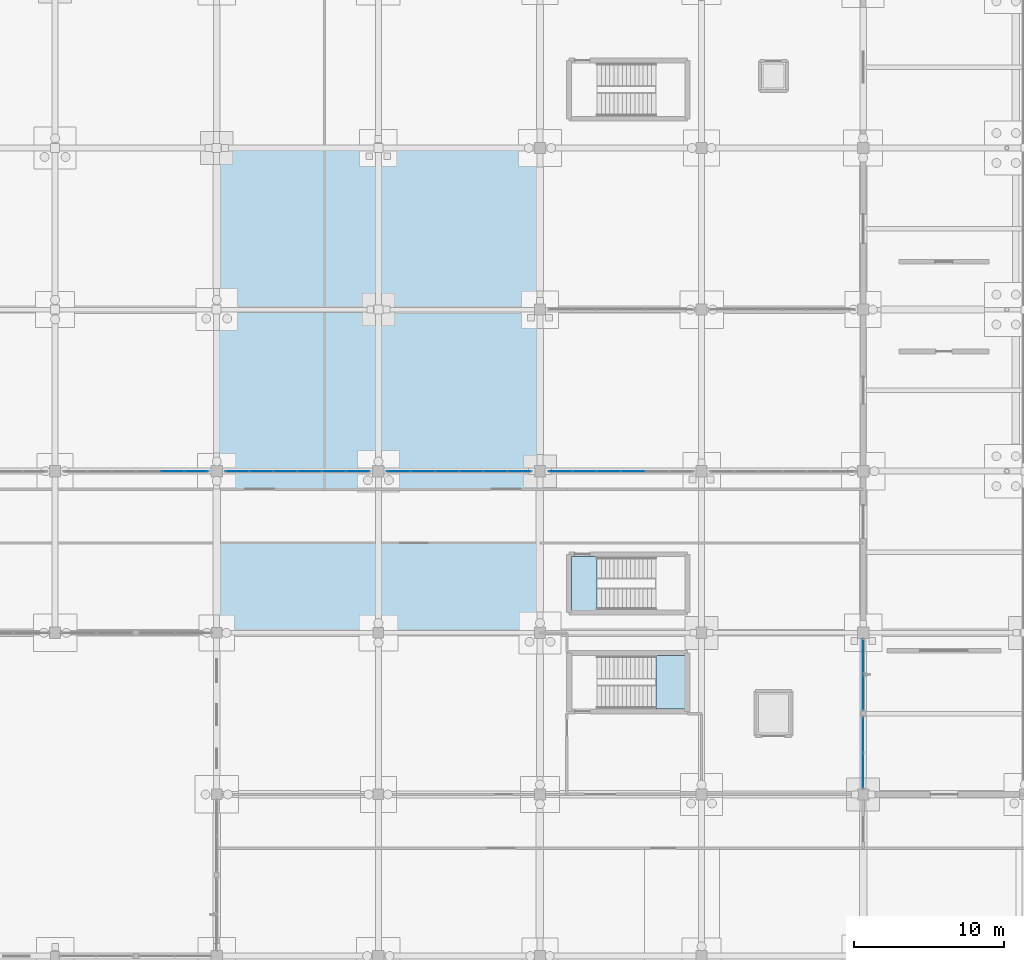
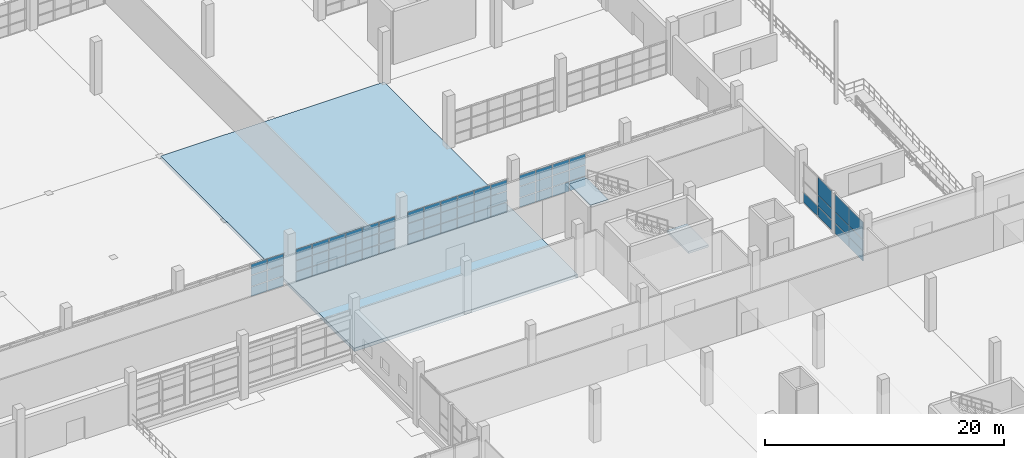
# One storey, part 93 of 138: 64 plates, 3 slabs, 8 elements without a shape of their own.
"""IFC4 building model written with IfcOpenShell, lengths in metres."""

from ifc_helpers import new_model, si_unit, direction, frame, origin, origin_2d, place, context, subcontext, project, spatial, polyline, rectangle, outline, extrude, material, layer, layer_set, type_object, element, aggregate, save


model = new_model("IFC4")

# Units and contexts
model_context = context("Model", 3, precision=1e-05, world=origin(), true_north=direction((0.0, 1.0)))
body_context = subcontext(model_context, "Body", "Model", "MODEL_VIEW")
ifc_project = project(units=[si_unit("LENGTHUNIT", "METRE"), si_unit("AREAUNIT", "SQUARE_METRE"), si_unit("VOLUMEUNIT", "CUBIC_METRE"), si_unit("PLANEANGLEUNIT", "RADIAN"), si_unit("MASSUNIT", "GRAM", prefix="KILO")], contexts=[model_context])

# Site, building, storey
site_placement = place(None, origin())
site = spatial("IfcSite", under=ifc_project, at=site_placement, CompositionType="ELEMENT")
building_placement = place(site_placement, origin())
building = spatial("IfcBuilding", under=site, at=building_placement, Name="Zwinboog Wholesale Market", CompositionType="ELEMENT")
storey_placement = place(building_placement, origin())
storey = spatial("IfcBuildingStorey", under=building, at=storey_placement, Name="L00", CompositionType="ELEMENT", Elevation=0.0)

# Slab
ifc_material_1 = material(Name="Precast concrete C45/55", Category="concrete")
ifc_layer_1 = layer(ifc_material_1, 0.3349609375)
ifc_layer_set_1 = layer_set([ifc_layer_1], Name="Precast concrete C45/55")
slab_type_1 = type_object("IfcSlabType", Name="SLT-BS-335", PredefinedType="BASESLAB", material=ifc_layer_set_1)
slab_1_placement = place(storey_placement, frame((0.0, 0.0, -0.3349609375)))
element("IfcSlab", 1, at=slab_1_placement, inside=storey, type_object=slab_type_1, Name="SB-335 (SLB-L00-012)", PredefinedType="BASESLAB", context=body_context, shape_type="SweptSolid", body=[
    extrude(outline(polyline([(129.60009765625, 43.199951171875), (151.199951171875, 43.199951171875), (151.199951171875, 75.60009765625), (129.60009765625, 75.60009765625), (129.60009765625, 43.199951171875)])), origin(), (0.0, 0.0, 1.0), 0.3349609375),
])

# Curtain wall, plates
ifc_material_2 = material(Name="Aluminium thermally broken curtain wall", Category="aluminium")
curtain_wall_type_1 = type_object("IfcCurtainWallType", Name="CWT-CAFE-22", PredefinedType="USERDEFINED", material=ifc_material_2)
curtain_wall_1_placement = place(storey_placement, origin())
curtain_wall_1 = element("IfcCurtainWall", 2, at=curtain_wall_1_placement, inside=storey, type_object=curtain_wall_type_1, Name="CW-05 (CW-L00-047)", ObjectType="STOREFRONT_GLAZING", PredefinedType="USERDEFINED")
ifc_material_3 = material(Name="Double low-e insulated glazing", Category="glass")
ifc_layer_2 = layer(ifc_material_3, 0.031982421875)
ifc_layer_set_2 = layer_set([ifc_layer_2], Name="Double low-e insulated glazing")
plate_type_1 = type_object("IfcPlateType", Name="CWP-IGU-32", PredefinedType="CURTAIN_PANEL", material=ifc_layer_set_2)
plate_1_placement = place(storey_placement, frame((172.800048828125, 33.99365234375, 0.06494140625), z_axis=(0.0, 0.0, 1.0), x_axis=(0.0, 1.0, 0.0)))
plate_1 = element("IfcPlate", 3, at=plate_1_placement, type_object=plate_type_1, Name="CW-05 panel 1.1", PredefinedType="CURTAIN_PANEL", context=body_context, shape_type="SweptSolid", body=[
    extrude(rectangle(XDim=2.3173828125, YDim=0.031982421875, at=origin_2d()), origin(), (0.0, 0.0, 1.0), 1.00244140625),
])
plate_2_placement = place(storey_placement, frame((172.800048828125, 33.99365234375, 1.132568359375), z_axis=(0.0, 0.0, 1.0), x_axis=(0.0, 1.0, 0.0)))
plate_2 = element("IfcPlate", 4, at=plate_2_placement, type_object=plate_type_1, Name="CW-05 panel 1.2", PredefinedType="CURTAIN_PANEL", context=body_context, shape_type="SweptSolid", body=[
    extrude(rectangle(XDim=2.3173828125, YDim=0.031982421875, at=origin_2d()), origin(), (0.0, 0.0, 1.0), 1.0849609375),
])
plate_3_placement = place(storey_placement, frame((172.800048828125, 33.99365234375, 2.2822265625), z_axis=(0.0, 0.0, 1.0), x_axis=(0.0, 1.0, 0.0)))
plate_3 = element("IfcPlate", 5, at=plate_3_placement, type_object=plate_type_1, Name="CW-05 panel 1.3", PredefinedType="CURTAIN_PANEL", context=body_context, shape_type="SweptSolid", body=[
    extrude(rectangle(XDim=2.3173828125, YDim=0.031982421875, at=origin_2d()), origin(), (0.0, 0.0, 1.0), 1.777587890625),
])
plate_4_placement = place(storey_placement, frame((172.800048828125, 36.376220703125, 0.06494140625), z_axis=(0.0, 0.0, 1.0), x_axis=(0.0, 1.0, 0.0)))
plate_4 = element("IfcPlate", 6, at=plate_4_placement, type_object=plate_type_1, Name="CW-05 panel 2.1", PredefinedType="CURTAIN_PANEL", context=body_context, shape_type="SweptSolid", body=[
    extrude(rectangle(XDim=2.3173828125, YDim=0.031982421875, at=origin_2d()), origin(), (0.0, 0.0, 1.0), 1.00244140625),
])
plate_5_placement = place(storey_placement, frame((172.800048828125, 36.376220703125, 1.132568359375), z_axis=(0.0, 0.0, 1.0), x_axis=(0.0, 1.0, 0.0)))
plate_5 = element("IfcPlate", 7, at=plate_5_placement, type_object=plate_type_1, Name="CW-05 panel 2.2", PredefinedType="CURTAIN_PANEL", context=body_context, shape_type="SweptSolid", body=[
    extrude(rectangle(XDim=2.3173828125, YDim=0.031982421875, at=origin_2d()), origin(), (0.0, 0.0, 1.0), 1.0849609375),
])
plate_6_placement = place(storey_placement, frame((172.800048828125, 36.376220703125, 2.2822265625), z_axis=(0.0, 0.0, 1.0), x_axis=(0.0, 1.0, 0.0)))
plate_6 = element("IfcPlate", 8, at=plate_6_placement, type_object=plate_type_1, Name="CW-05 panel 2.3", PredefinedType="CURTAIN_PANEL", context=body_context, shape_type="SweptSolid", body=[
    extrude(rectangle(XDim=2.3173828125, YDim=0.031982421875, at=origin_2d()), origin(), (0.0, 0.0, 1.0), 1.777587890625),
])
aggregate(curtain_wall_1, [plate_1, plate_2, plate_3, plate_4, plate_5, plate_6])

curtain_wall_type_2 = type_object("IfcCurtainWallType", Name="CWT-OFF-15", PredefinedType="USERDEFINED", material=ifc_material_2)
curtain_wall_2_placement = place(storey_placement, origin())
curtain_wall_2 = element("IfcCurtainWall", 9, at=curtain_wall_2_placement, inside=storey, type_object=curtain_wall_type_2, Name="CW-06 (CW-L00-048)", ObjectType="UNITIZED_CURTAIN_WALL", PredefinedType="USERDEFINED")
plate_7_placement = place(storey_placement, frame((172.800048828125, 39.222412109375, 0.06005859375), z_axis=(0.0, 0.0, 1.0), x_axis=(0.0, 1.0, 0.0)))
plate_7 = element("IfcPlate", 10, at=plate_7_placement, type_object=plate_type_1, Name="CW-06 panel 1.1", PredefinedType="CURTAIN_PANEL", context=body_context, shape_type="SweptSolid", body=[
    extrude(rectangle(XDim=2.324951171875, YDim=0.031982421875, at=origin_2d()), origin(), (0.0, 0.0, 1.0), 1.010009765625),
])
plate_8_placement = place(storey_placement, frame((172.800048828125, 39.222412109375, 1.1298828125), z_axis=(0.0, 0.0, 1.0), x_axis=(0.0, 1.0, 0.0)))
plate_8 = element("IfcPlate", 11, at=plate_8_placement, type_object=plate_type_1, Name="CW-06 panel 1.2", PredefinedType="CURTAIN_PANEL", context=body_context, shape_type="SweptSolid", body=[
    extrude(rectangle(XDim=2.324951171875, YDim=0.031982421875, at=origin_2d()), origin(), (0.0, 0.0, 1.0), 1.090087890625),
])
plate_9_placement = place(storey_placement, frame((172.800048828125, 39.222412109375, 2.2802734375), z_axis=(0.0, 0.0, 1.0), x_axis=(0.0, 1.0, 0.0)))
plate_9 = element("IfcPlate", 12, at=plate_9_placement, type_object=plate_type_1, Name="CW-06 panel 1.3", PredefinedType="CURTAIN_PANEL", context=body_context, shape_type="SweptSolid", body=[
    extrude(rectangle(XDim=2.324951171875, YDim=0.031982421875, at=origin_2d()), origin(), (0.0, 0.0, 1.0), 1.784912109375),
])
plate_10_placement = place(storey_placement, frame((172.800048828125, 41.607421875, 0.06005859375), z_axis=(0.0, 0.0, 1.0), x_axis=(0.0, 1.0, 0.0)))
plate_10 = element("IfcPlate", 13, at=plate_10_placement, type_object=plate_type_1, Name="CW-06 panel 2.1", PredefinedType="CURTAIN_PANEL", context=body_context, shape_type="SweptSolid", body=[
    extrude(rectangle(XDim=2.324951171875, YDim=0.031982421875, at=origin_2d()), origin(), (0.0, 0.0, 1.0), 1.010009765625),
])
aggregate(curtain_wall_2, [plate_7, plate_8, plate_9, plate_10])

curtain_wall_type_3 = type_object("IfcCurtainWallType", Name="CWT-INT-STALL", PredefinedType="USERDEFINED", material=ifc_material_2)
curtain_wall_3_placement = place(storey_placement, origin())
curtain_wall_3 = element("IfcCurtainWall", 14, at=curtain_wall_3_placement, inside=storey, type_object=curtain_wall_type_3, Name="CW-07 (CW-STL-186)", ObjectType="STOREFRONT_GLAZING", PredefinedType="USERDEFINED")
ifc_material_4 = material(Name="Tempered laminated market stall glazing", Category="glass")
ifc_layer_3 = layer(ifc_material_4, 0.01611328125)
ifc_layer_set_3 = layer_set([ifc_layer_3], Name="Tempered laminated market stall glazing")
plate_type_2 = type_object("IfcPlateType", Name="CWP-INT-16", PredefinedType="CURTAIN_PANEL", material=ifc_layer_set_3)
plate_11_placement = place(storey_placement, frame((126.625, 54.0, 0.06005859375), z_axis=(0.0, 0.0, 1.0), x_axis=(1.0, 0.0, 0.0)))
plate_11 = element("IfcPlate", 15, at=plate_11_placement, type_object=plate_type_2, Name="CW-07 panel 5.1", PredefinedType="CURTAIN_PANEL", context=body_context, shape_type="SweptSolid", body=[
    extrude(rectangle(XDim=1.556640625, YDim=0.01611328125, at=origin_2d()), origin(), (0.0, 0.0, 1.0), 0.9599609375),
])
plate_12_placement = place(storey_placement, frame((126.625, 54.0, 1.080078125), z_axis=(0.0, 0.0, 1.0), x_axis=(1.0, 0.0, 0.0)))
plate_12 = element("IfcPlate", 16, at=plate_12_placement, type_object=plate_type_2, Name="CW-07 panel 5.2", PredefinedType="CURTAIN_PANEL", context=body_context, shape_type="SweptSolid", body=[
    extrude(rectangle(XDim=1.556640625, YDim=0.01611328125, at=origin_2d()), origin(), (0.0, 0.0, 1.0), 1.090087890625),
])
plate_13_placement = place(storey_placement, frame((126.625, 54.0, 2.22998046875), z_axis=(0.0, 0.0, 1.0), x_axis=(1.0, 0.0, 0.0)))
plate_13 = element("IfcPlate", 17, at=plate_13_placement, type_object=plate_type_2, Name="CW-07 panel 5.3", PredefinedType="CURTAIN_PANEL", context=body_context, shape_type="SweptSolid", body=[
    extrude(rectangle(XDim=1.556640625, YDim=0.01611328125, at=origin_2d()), origin(), (0.0, 0.0, 1.0), 1.110107421875),
])
plate_14_placement = place(storey_placement, frame((128.2265625, 54.0, 0.06005859375), z_axis=(0.0, 0.0, 1.0), x_axis=(1.0, 0.0, 0.0)))
plate_14 = element("IfcPlate", 18, at=plate_14_placement, type_object=plate_type_2, Name="CW-07 panel 6.1", PredefinedType="CURTAIN_PANEL", context=body_context, shape_type="SweptSolid", body=[
    extrude(rectangle(XDim=1.526611328125, YDim=0.01611328125, at=origin_2d()), origin(), (0.0, 0.0, 1.0), 0.9599609375),
])
plate_15_placement = place(storey_placement, frame((128.2265625, 54.0, 1.080078125), z_axis=(0.0, 0.0, 1.0), x_axis=(1.0, 0.0, 0.0)))
plate_15 = element("IfcPlate", 19, at=plate_15_placement, type_object=plate_type_2, Name="CW-07 panel 6.2", PredefinedType="CURTAIN_PANEL", context=body_context, shape_type="SweptSolid", body=[
    extrude(rectangle(XDim=1.526611328125, YDim=0.01611328125, at=origin_2d()), origin(), (0.0, 0.0, 1.0), 1.090087890625),
])
plate_16_placement = place(storey_placement, frame((128.2265625, 54.0, 2.22998046875), z_axis=(0.0, 0.0, 1.0), x_axis=(1.0, 0.0, 0.0)))
plate_16 = element("IfcPlate", 20, at=plate_16_placement, type_object=plate_type_2, Name="CW-07 panel 6.3", PredefinedType="CURTAIN_PANEL", context=body_context, shape_type="SweptSolid", body=[
    extrude(rectangle(XDim=1.526611328125, YDim=0.01611328125, at=origin_2d()), origin(), (0.0, 0.0, 1.0), 1.110107421875),
])
aggregate(curtain_wall_3, [plate_11, plate_12, plate_13, plate_14, plate_15, plate_16])

curtain_wall_4_placement = place(storey_placement, origin())
curtain_wall_4 = element("IfcCurtainWall", 21, at=curtain_wall_4_placement, inside=storey, type_object=curtain_wall_type_3, Name="CW-07 (CW-STL-187)", ObjectType="STOREFRONT_GLAZING", PredefinedType="USERDEFINED")
plate_17_placement = place(storey_placement, frame((130.973388671875, 54.0, 0.06005859375), z_axis=(0.0, 0.0, 1.0), x_axis=(1.0, 0.0, 0.0)))
plate_17 = element("IfcPlate", 22, at=plate_17_placement, type_object=plate_type_2, Name="CW-07 panel 1.1", PredefinedType="CURTAIN_PANEL", context=body_context, shape_type="SweptSolid", body=[
    extrude(rectangle(XDim=1.526611328125, YDim=0.01611328125, at=origin_2d()), origin(), (0.0, 0.0, 1.0), 0.9599609375),
])
plate_18_placement = place(storey_placement, frame((130.973388671875, 54.0, 1.080078125), z_axis=(0.0, 0.0, 1.0), x_axis=(1.0, 0.0, 0.0)))
plate_18 = element("IfcPlate", 23, at=plate_18_placement, type_object=plate_type_2, Name="CW-07 panel 1.2", PredefinedType="CURTAIN_PANEL", context=body_context, shape_type="SweptSolid", body=[
    extrude(rectangle(XDim=1.526611328125, YDim=0.01611328125, at=origin_2d()), origin(), (0.0, 0.0, 1.0), 1.090087890625),
])
plate_19_placement = place(storey_placement, frame((130.973388671875, 54.0, 2.22998046875), z_axis=(0.0, 0.0, 1.0), x_axis=(1.0, 0.0, 0.0)))
plate_19 = element("IfcPlate", 24, at=plate_19_placement, type_object=plate_type_2, Name="CW-07 panel 1.3", PredefinedType="CURTAIN_PANEL", context=body_context, shape_type="SweptSolid", body=[
    extrude(rectangle(XDim=1.526611328125, YDim=0.01611328125, at=origin_2d()), origin(), (0.0, 0.0, 1.0), 1.110107421875),
])
plate_20_placement = place(storey_placement, frame((132.574951171875, 54.0, 0.06005859375), z_axis=(0.0, 0.0, 1.0), x_axis=(1.0, 0.0, 0.0)))
plate_20 = element("IfcPlate", 25, at=plate_20_placement, type_object=plate_type_2, Name="CW-07 panel 2.1", PredefinedType="CURTAIN_PANEL", context=body_context, shape_type="SweptSolid", body=[
    extrude(rectangle(XDim=1.556640625, YDim=0.01611328125, at=origin_2d()), origin(), (0.0, 0.0, 1.0), 0.9599609375),
])
plate_21_placement = place(storey_placement, frame((132.574951171875, 54.0, 1.080078125), z_axis=(0.0, 0.0, 1.0), x_axis=(1.0, 0.0, 0.0)))
plate_21 = element("IfcPlate", 26, at=plate_21_placement, type_object=plate_type_2, Name="CW-07 panel 2.2", PredefinedType="CURTAIN_PANEL", context=body_context, shape_type="SweptSolid", body=[
    extrude(rectangle(XDim=1.556640625, YDim=0.01611328125, at=origin_2d()), origin(), (0.0, 0.0, 1.0), 1.090087890625),
])
plate_22_placement = place(storey_placement, frame((132.574951171875, 54.0, 2.22998046875), z_axis=(0.0, 0.0, 1.0), x_axis=(1.0, 0.0, 0.0)))
plate_22 = element("IfcPlate", 27, at=plate_22_placement, type_object=plate_type_2, Name="CW-07 panel 2.3", PredefinedType="CURTAIN_PANEL", context=body_context, shape_type="SweptSolid", body=[
    extrude(rectangle(XDim=1.556640625, YDim=0.01611328125, at=origin_2d()), origin(), (0.0, 0.0, 1.0), 1.110107421875),
])
plate_23_placement = place(storey_placement, frame((134.191650390625, 54.0, 0.06005859375), z_axis=(0.0, 0.0, 1.0), x_axis=(1.0, 0.0, 0.0)))
plate_23 = element("IfcPlate", 28, at=plate_23_placement, type_object=plate_type_2, Name="CW-07 panel 3.1", PredefinedType="CURTAIN_PANEL", context=body_context, shape_type="SweptSolid", body=[
    extrude(rectangle(XDim=1.556640625, YDim=0.01611328125, at=origin_2d()), origin(), (0.0, 0.0, 1.0), 0.9599609375),
])
plate_24_placement = place(storey_placement, frame((134.191650390625, 54.0, 1.080078125), z_axis=(0.0, 0.0, 1.0), x_axis=(1.0, 0.0, 0.0)))
plate_24 = element("IfcPlate", 29, at=plate_24_placement, type_object=plate_type_2, Name="CW-07 panel 3.2", PredefinedType="CURTAIN_PANEL", context=body_context, shape_type="SweptSolid", body=[
    extrude(rectangle(XDim=1.556640625, YDim=0.01611328125, at=origin_2d()), origin(), (0.0, 0.0, 1.0), 1.090087890625),
])
plate_25_placement = place(storey_placement, frame((134.191650390625, 54.0, 2.22998046875), z_axis=(0.0, 0.0, 1.0), x_axis=(1.0, 0.0, 0.0)))
plate_25 = element("IfcPlate", 30, at=plate_25_placement, type_object=plate_type_2, Name="CW-07 panel 3.3", PredefinedType="CURTAIN_PANEL", context=body_context, shape_type="SweptSolid", body=[
    extrude(rectangle(XDim=1.556640625, YDim=0.01611328125, at=origin_2d()), origin(), (0.0, 0.0, 1.0), 1.110107421875),
])
plate_26_placement = place(storey_placement, frame((135.808349609375, 54.0, 0.06005859375), z_axis=(0.0, 0.0, 1.0), x_axis=(1.0, 0.0, 0.0)))
plate_26 = element("IfcPlate", 31, at=plate_26_placement, type_object=plate_type_2, Name="CW-07 panel 4.1", PredefinedType="CURTAIN_PANEL", context=body_context, shape_type="SweptSolid", body=[
    extrude(rectangle(XDim=1.556640625, YDim=0.01611328125, at=origin_2d()), origin(), (0.0, 0.0, 1.0), 0.9599609375),
])
plate_27_placement = place(storey_placement, frame((135.808349609375, 54.0, 1.080078125), z_axis=(0.0, 0.0, 1.0), x_axis=(1.0, 0.0, 0.0)))
plate_27 = element("IfcPlate", 32, at=plate_27_placement, type_object=plate_type_2, Name="CW-07 panel 4.2", PredefinedType="CURTAIN_PANEL", context=body_context, shape_type="SweptSolid", body=[
    extrude(rectangle(XDim=1.556640625, YDim=0.01611328125, at=origin_2d()), origin(), (0.0, 0.0, 1.0), 1.090087890625),
])
plate_28_placement = place(storey_placement, frame((135.808349609375, 54.0, 2.22998046875), z_axis=(0.0, 0.0, 1.0), x_axis=(1.0, 0.0, 0.0)))
plate_28 = element("IfcPlate", 33, at=plate_28_placement, type_object=plate_type_2, Name="CW-07 panel 4.3", PredefinedType="CURTAIN_PANEL", context=body_context, shape_type="SweptSolid", body=[
    extrude(rectangle(XDim=1.556640625, YDim=0.01611328125, at=origin_2d()), origin(), (0.0, 0.0, 1.0), 1.110107421875),
])
plate_29_placement = place(storey_placement, frame((137.425048828125, 54.0, 0.06005859375), z_axis=(0.0, 0.0, 1.0), x_axis=(1.0, 0.0, 0.0)))
plate_29 = element("IfcPlate", 34, at=plate_29_placement, type_object=plate_type_2, Name="CW-07 panel 5.1", PredefinedType="CURTAIN_PANEL", context=body_context, shape_type="SweptSolid", body=[
    extrude(rectangle(XDim=1.556640625, YDim=0.01611328125, at=origin_2d()), origin(), (0.0, 0.0, 1.0), 0.9599609375),
])
plate_30_placement = place(storey_placement, frame((137.425048828125, 54.0, 1.080078125), z_axis=(0.0, 0.0, 1.0), x_axis=(1.0, 0.0, 0.0)))
plate_30 = element("IfcPlate", 35, at=plate_30_placement, type_object=plate_type_2, Name="CW-07 panel 5.2", PredefinedType="CURTAIN_PANEL", context=body_context, shape_type="SweptSolid", body=[
    extrude(rectangle(XDim=1.556640625, YDim=0.01611328125, at=origin_2d()), origin(), (0.0, 0.0, 1.0), 1.090087890625),
])
plate_31_placement = place(storey_placement, frame((137.425048828125, 54.0, 2.22998046875), z_axis=(0.0, 0.0, 1.0), x_axis=(1.0, 0.0, 0.0)))
plate_31 = element("IfcPlate", 36, at=plate_31_placement, type_object=plate_type_2, Name="CW-07 panel 5.3", PredefinedType="CURTAIN_PANEL", context=body_context, shape_type="SweptSolid", body=[
    extrude(rectangle(XDim=1.556640625, YDim=0.01611328125, at=origin_2d()), origin(), (0.0, 0.0, 1.0), 1.110107421875),
])
plate_32_placement = place(storey_placement, frame((139.026611328125, 54.0, 0.06005859375), z_axis=(0.0, 0.0, 1.0), x_axis=(1.0, 0.0, 0.0)))
plate_32 = element("IfcPlate", 37, at=plate_32_placement, type_object=plate_type_2, Name="CW-07 panel 6.1", PredefinedType="CURTAIN_PANEL", context=body_context, shape_type="SweptSolid", body=[
    extrude(rectangle(XDim=1.526611328125, YDim=0.01611328125, at=origin_2d()), origin(), (0.0, 0.0, 1.0), 0.9599609375),
])
plate_33_placement = place(storey_placement, frame((139.026611328125, 54.0, 1.080078125), z_axis=(0.0, 0.0, 1.0), x_axis=(1.0, 0.0, 0.0)))
plate_33 = element("IfcPlate", 38, at=plate_33_placement, type_object=plate_type_2, Name="CW-07 panel 6.2", PredefinedType="CURTAIN_PANEL", context=body_context, shape_type="SweptSolid", body=[
    extrude(rectangle(XDim=1.526611328125, YDim=0.01611328125, at=origin_2d()), origin(), (0.0, 0.0, 1.0), 1.090087890625),
])
plate_34_placement = place(storey_placement, frame((139.026611328125, 54.0, 2.22998046875), z_axis=(0.0, 0.0, 1.0), x_axis=(1.0, 0.0, 0.0)))
plate_34 = element("IfcPlate", 39, at=plate_34_placement, type_object=plate_type_2, Name="CW-07 panel 6.3", PredefinedType="CURTAIN_PANEL", context=body_context, shape_type="SweptSolid", body=[
    extrude(rectangle(XDim=1.526611328125, YDim=0.01611328125, at=origin_2d()), origin(), (0.0, 0.0, 1.0), 1.110107421875),
])
aggregate(curtain_wall_4, [plate_17, plate_18, plate_19, plate_20, plate_21, plate_22, plate_23, plate_24, plate_25, plate_26, plate_27, plate_28, plate_29, plate_30, plate_31, plate_32, plate_33, plate_34])

curtain_wall_5_placement = place(storey_placement, origin())
curtain_wall_5 = element("IfcCurtainWall", 40, at=curtain_wall_5_placement, inside=storey, type_object=curtain_wall_type_3, Name="CW-07 (CW-STL-188)", ObjectType="STOREFRONT_GLAZING", PredefinedType="USERDEFINED")
plate_35_placement = place(storey_placement, frame((141.7734375, 54.0, 0.06005859375), z_axis=(0.0, 0.0, 1.0), x_axis=(1.0, 0.0, 0.0)))
plate_35 = element("IfcPlate", 41, at=plate_35_placement, type_object=plate_type_2, Name="CW-07 panel 1.1", PredefinedType="CURTAIN_PANEL", context=body_context, shape_type="SweptSolid", body=[
    extrude(rectangle(XDim=1.526611328125, YDim=0.01611328125, at=origin_2d()), origin(), (0.0, 0.0, 1.0), 0.9599609375),
])
plate_36_placement = place(storey_placement, frame((141.7734375, 54.0, 1.080078125), z_axis=(0.0, 0.0, 1.0), x_axis=(1.0, 0.0, 0.0)))
plate_36 = element("IfcPlate", 42, at=plate_36_placement, type_object=plate_type_2, Name="CW-07 panel 1.2", PredefinedType="CURTAIN_PANEL", context=body_context, shape_type="SweptSolid", body=[
    extrude(rectangle(XDim=1.526611328125, YDim=0.01611328125, at=origin_2d()), origin(), (0.0, 0.0, 1.0), 1.090087890625),
])
plate_37_placement = place(storey_placement, frame((141.7734375, 54.0, 2.22998046875), z_axis=(0.0, 0.0, 1.0), x_axis=(1.0, 0.0, 0.0)))
plate_37 = element("IfcPlate", 43, at=plate_37_placement, type_object=plate_type_2, Name="CW-07 panel 1.3", PredefinedType="CURTAIN_PANEL", context=body_context, shape_type="SweptSolid", body=[
    extrude(rectangle(XDim=1.526611328125, YDim=0.01611328125, at=origin_2d()), origin(), (0.0, 0.0, 1.0), 1.110107421875),
])
plate_38_placement = place(storey_placement, frame((143.375, 54.0, 0.06005859375), z_axis=(0.0, 0.0, 1.0), x_axis=(1.0, 0.0, 0.0)))
plate_38 = element("IfcPlate", 44, at=plate_38_placement, type_object=plate_type_2, Name="CW-07 panel 2.1", PredefinedType="CURTAIN_PANEL", context=body_context, shape_type="SweptSolid", body=[
    extrude(rectangle(XDim=1.556640625, YDim=0.01611328125, at=origin_2d()), origin(), (0.0, 0.0, 1.0), 0.9599609375),
])
plate_39_placement = place(storey_placement, frame((143.375, 54.0, 1.080078125), z_axis=(0.0, 0.0, 1.0), x_axis=(1.0, 0.0, 0.0)))
plate_39 = element("IfcPlate", 45, at=plate_39_placement, type_object=plate_type_2, Name="CW-07 panel 2.2", PredefinedType="CURTAIN_PANEL", context=body_context, shape_type="SweptSolid", body=[
    extrude(rectangle(XDim=1.556640625, YDim=0.01611328125, at=origin_2d()), origin(), (0.0, 0.0, 1.0), 1.090087890625),
])
plate_40_placement = place(storey_placement, frame((143.375, 54.0, 2.22998046875), z_axis=(0.0, 0.0, 1.0), x_axis=(1.0, 0.0, 0.0)))
plate_40 = element("IfcPlate", 46, at=plate_40_placement, type_object=plate_type_2, Name="CW-07 panel 2.3", PredefinedType="CURTAIN_PANEL", context=body_context, shape_type="SweptSolid", body=[
    extrude(rectangle(XDim=1.556640625, YDim=0.01611328125, at=origin_2d()), origin(), (0.0, 0.0, 1.0), 1.110107421875),
])
plate_41_placement = place(storey_placement, frame((144.99169921875, 54.0, 0.06005859375), z_axis=(0.0, 0.0, 1.0), x_axis=(1.0, 0.0, 0.0)))
plate_41 = element("IfcPlate", 47, at=plate_41_placement, type_object=plate_type_2, Name="CW-07 panel 3.1", PredefinedType="CURTAIN_PANEL", context=body_context, shape_type="SweptSolid", body=[
    extrude(rectangle(XDim=1.556640625, YDim=0.01611328125, at=origin_2d()), origin(), (0.0, 0.0, 1.0), 0.9599609375),
])
plate_42_placement = place(storey_placement, frame((144.99169921875, 54.0, 1.080078125), z_axis=(0.0, 0.0, 1.0), x_axis=(1.0, 0.0, 0.0)))
plate_42 = element("IfcPlate", 48, at=plate_42_placement, type_object=plate_type_2, Name="CW-07 panel 3.2", PredefinedType="CURTAIN_PANEL", context=body_context, shape_type="SweptSolid", body=[
    extrude(rectangle(XDim=1.556640625, YDim=0.01611328125, at=origin_2d()), origin(), (0.0, 0.0, 1.0), 1.090087890625),
])
plate_43_placement = place(storey_placement, frame((144.99169921875, 54.0, 2.22998046875), z_axis=(0.0, 0.0, 1.0), x_axis=(1.0, 0.0, 0.0)))
plate_43 = element("IfcPlate", 49, at=plate_43_placement, type_object=plate_type_2, Name="CW-07 panel 3.3", PredefinedType="CURTAIN_PANEL", context=body_context, shape_type="SweptSolid", body=[
    extrude(rectangle(XDim=1.556640625, YDim=0.01611328125, at=origin_2d()), origin(), (0.0, 0.0, 1.0), 1.110107421875),
])
plate_44_placement = place(storey_placement, frame((146.6083984375, 54.0, 0.06005859375), z_axis=(0.0, 0.0, 1.0), x_axis=(1.0, 0.0, 0.0)))
plate_44 = element("IfcPlate", 50, at=plate_44_placement, type_object=plate_type_2, Name="CW-07 panel 4.1", PredefinedType="CURTAIN_PANEL", context=body_context, shape_type="SweptSolid", body=[
    extrude(rectangle(XDim=1.556640625, YDim=0.01611328125, at=origin_2d()), origin(), (0.0, 0.0, 1.0), 0.9599609375),
])
plate_45_placement = place(storey_placement, frame((146.6083984375, 54.0, 1.080078125), z_axis=(0.0, 0.0, 1.0), x_axis=(1.0, 0.0, 0.0)))
plate_45 = element("IfcPlate", 51, at=plate_45_placement, type_object=plate_type_2, Name="CW-07 panel 4.2", PredefinedType="CURTAIN_PANEL", context=body_context, shape_type="SweptSolid", body=[
    extrude(rectangle(XDim=1.556640625, YDim=0.01611328125, at=origin_2d()), origin(), (0.0, 0.0, 1.0), 1.090087890625),
])
plate_46_placement = place(storey_placement, frame((146.6083984375, 54.0, 2.22998046875), z_axis=(0.0, 0.0, 1.0), x_axis=(1.0, 0.0, 0.0)))
plate_46 = element("IfcPlate", 52, at=plate_46_placement, type_object=plate_type_2, Name="CW-07 panel 4.3", PredefinedType="CURTAIN_PANEL", context=body_context, shape_type="SweptSolid", body=[
    extrude(rectangle(XDim=1.556640625, YDim=0.01611328125, at=origin_2d()), origin(), (0.0, 0.0, 1.0), 1.110107421875),
])
plate_47_placement = place(storey_placement, frame((148.22509765625, 54.0, 0.06005859375), z_axis=(0.0, 0.0, 1.0), x_axis=(1.0, 0.0, 0.0)))
plate_47 = element("IfcPlate", 53, at=plate_47_placement, type_object=plate_type_2, Name="CW-07 panel 5.1", PredefinedType="CURTAIN_PANEL", context=body_context, shape_type="SweptSolid", body=[
    extrude(rectangle(XDim=1.556640625, YDim=0.01611328125, at=origin_2d()), origin(), (0.0, 0.0, 1.0), 0.9599609375),
])
plate_48_placement = place(storey_placement, frame((148.22509765625, 54.0, 1.080078125), z_axis=(0.0, 0.0, 1.0), x_axis=(1.0, 0.0, 0.0)))
plate_48 = element("IfcPlate", 54, at=plate_48_placement, type_object=plate_type_2, Name="CW-07 panel 5.2", PredefinedType="CURTAIN_PANEL", context=body_context, shape_type="SweptSolid", body=[
    extrude(rectangle(XDim=1.556640625, YDim=0.01611328125, at=origin_2d()), origin(), (0.0, 0.0, 1.0), 1.090087890625),
])
plate_49_placement = place(storey_placement, frame((148.22509765625, 54.0, 2.22998046875), z_axis=(0.0, 0.0, 1.0), x_axis=(1.0, 0.0, 0.0)))
plate_49 = element("IfcPlate", 55, at=plate_49_placement, type_object=plate_type_2, Name="CW-07 panel 5.3", PredefinedType="CURTAIN_PANEL", context=body_context, shape_type="SweptSolid", body=[
    extrude(rectangle(XDim=1.556640625, YDim=0.01611328125, at=origin_2d()), origin(), (0.0, 0.0, 1.0), 1.110107421875),
])
plate_50_placement = place(storey_placement, frame((149.82666015625, 54.0, 0.06005859375), z_axis=(0.0, 0.0, 1.0), x_axis=(1.0, 0.0, 0.0)))
plate_50 = element("IfcPlate", 56, at=plate_50_placement, type_object=plate_type_2, Name="CW-07 panel 6.1", PredefinedType="CURTAIN_PANEL", context=body_context, shape_type="SweptSolid", body=[
    extrude(rectangle(XDim=1.526611328125, YDim=0.01611328125, at=origin_2d()), origin(), (0.0, 0.0, 1.0), 0.9599609375),
])
plate_51_placement = place(storey_placement, frame((149.82666015625, 54.0, 1.080078125), z_axis=(0.0, 0.0, 1.0), x_axis=(1.0, 0.0, 0.0)))
plate_51 = element("IfcPlate", 57, at=plate_51_placement, type_object=plate_type_2, Name="CW-07 panel 6.2", PredefinedType="CURTAIN_PANEL", context=body_context, shape_type="SweptSolid", body=[
    extrude(rectangle(XDim=1.526611328125, YDim=0.01611328125, at=origin_2d()), origin(), (0.0, 0.0, 1.0), 1.090087890625),
])
plate_52_placement = place(storey_placement, frame((149.82666015625, 54.0, 2.22998046875), z_axis=(0.0, 0.0, 1.0), x_axis=(1.0, 0.0, 0.0)))
plate_52 = element("IfcPlate", 58, at=plate_52_placement, type_object=plate_type_2, Name="CW-07 panel 6.3", PredefinedType="CURTAIN_PANEL", context=body_context, shape_type="SweptSolid", body=[
    extrude(rectangle(XDim=1.526611328125, YDim=0.01611328125, at=origin_2d()), origin(), (0.0, 0.0, 1.0), 1.110107421875),
])
aggregate(curtain_wall_5, [plate_35, plate_36, plate_37, plate_38, plate_39, plate_40, plate_41, plate_42, plate_43, plate_44, plate_45, plate_46, plate_47, plate_48, plate_49, plate_50, plate_51, plate_52])

curtain_wall_6_placement = place(storey_placement, origin())
curtain_wall_6 = element("IfcCurtainWall", 59, at=curtain_wall_6_placement, inside=storey, type_object=curtain_wall_type_3, Name="CW-07 (CW-STL-189)", ObjectType="STOREFRONT_GLAZING", PredefinedType="USERDEFINED")
plate_53_placement = place(storey_placement, frame((152.5732421875, 54.0, 0.06005859375), z_axis=(0.0, 0.0, 1.0), x_axis=(1.0, 0.0, 0.0)))
plate_53 = element("IfcPlate", 60, at=plate_53_placement, type_object=plate_type_2, Name="CW-07 panel 1.1", PredefinedType="CURTAIN_PANEL", context=body_context, shape_type="SweptSolid", body=[
    extrude(rectangle(XDim=1.526611328125, YDim=0.01611328125, at=origin_2d()), origin(), (0.0, 0.0, 1.0), 0.9599609375),
])
plate_54_placement = place(storey_placement, frame((152.5732421875, 54.0, 1.080078125), z_axis=(0.0, 0.0, 1.0), x_axis=(1.0, 0.0, 0.0)))
plate_54 = element("IfcPlate", 61, at=plate_54_placement, type_object=plate_type_2, Name="CW-07 panel 1.2", PredefinedType="CURTAIN_PANEL", context=body_context, shape_type="SweptSolid", body=[
    extrude(rectangle(XDim=1.526611328125, YDim=0.01611328125, at=origin_2d()), origin(), (0.0, 0.0, 1.0), 1.090087890625),
])
plate_55_placement = place(storey_placement, frame((152.5732421875, 54.0, 2.22998046875), z_axis=(0.0, 0.0, 1.0), x_axis=(1.0, 0.0, 0.0)))
plate_55 = element("IfcPlate", 62, at=plate_55_placement, type_object=plate_type_2, Name="CW-07 panel 1.3", PredefinedType="CURTAIN_PANEL", context=body_context, shape_type="SweptSolid", body=[
    extrude(rectangle(XDim=1.526611328125, YDim=0.01611328125, at=origin_2d()), origin(), (0.0, 0.0, 1.0), 1.110107421875),
])
plate_56_placement = place(storey_placement, frame((154.175048828125, 54.0, 0.06005859375), z_axis=(0.0, 0.0, 1.0), x_axis=(1.0, 0.0, 0.0)))
plate_56 = element("IfcPlate", 63, at=plate_56_placement, type_object=plate_type_2, Name="CW-07 panel 2.1", PredefinedType="CURTAIN_PANEL", context=body_context, shape_type="SweptSolid", body=[
    extrude(rectangle(XDim=1.556640625, YDim=0.01611328125, at=origin_2d()), origin(), (0.0, 0.0, 1.0), 0.9599609375),
])
plate_57_placement = place(storey_placement, frame((154.175048828125, 54.0, 1.080078125), z_axis=(0.0, 0.0, 1.0), x_axis=(1.0, 0.0, 0.0)))
plate_57 = element("IfcPlate", 64, at=plate_57_placement, type_object=plate_type_2, Name="CW-07 panel 2.2", PredefinedType="CURTAIN_PANEL", context=body_context, shape_type="SweptSolid", body=[
    extrude(rectangle(XDim=1.556640625, YDim=0.01611328125, at=origin_2d()), origin(), (0.0, 0.0, 1.0), 1.090087890625),
])
plate_58_placement = place(storey_placement, frame((154.175048828125, 54.0, 2.22998046875), z_axis=(0.0, 0.0, 1.0), x_axis=(1.0, 0.0, 0.0)))
plate_58 = element("IfcPlate", 65, at=plate_58_placement, type_object=plate_type_2, Name="CW-07 panel 2.3", PredefinedType="CURTAIN_PANEL", context=body_context, shape_type="SweptSolid", body=[
    extrude(rectangle(XDim=1.556640625, YDim=0.01611328125, at=origin_2d()), origin(), (0.0, 0.0, 1.0), 1.110107421875),
])
plate_59_placement = place(storey_placement, frame((155.791748046875, 54.0, 0.06005859375), z_axis=(0.0, 0.0, 1.0), x_axis=(1.0, 0.0, 0.0)))
plate_59 = element("IfcPlate", 66, at=plate_59_placement, type_object=plate_type_2, Name="CW-07 panel 3.1", PredefinedType="CURTAIN_PANEL", context=body_context, shape_type="SweptSolid", body=[
    extrude(rectangle(XDim=1.556640625, YDim=0.01611328125, at=origin_2d()), origin(), (0.0, 0.0, 1.0), 0.9599609375),
])
plate_60_placement = place(storey_placement, frame((155.791748046875, 54.0, 1.080078125), z_axis=(0.0, 0.0, 1.0), x_axis=(1.0, 0.0, 0.0)))
plate_60 = element("IfcPlate", 67, at=plate_60_placement, type_object=plate_type_2, Name="CW-07 panel 3.2", PredefinedType="CURTAIN_PANEL", context=body_context, shape_type="SweptSolid", body=[
    extrude(rectangle(XDim=1.556640625, YDim=0.01611328125, at=origin_2d()), origin(), (0.0, 0.0, 1.0), 1.090087890625),
])
plate_61_placement = place(storey_placement, frame((155.791748046875, 54.0, 2.22998046875), z_axis=(0.0, 0.0, 1.0), x_axis=(1.0, 0.0, 0.0)))
plate_61 = element("IfcPlate", 68, at=plate_61_placement, type_object=plate_type_2, Name="CW-07 panel 3.3", PredefinedType="CURTAIN_PANEL", context=body_context, shape_type="SweptSolid", body=[
    extrude(rectangle(XDim=1.556640625, YDim=0.01611328125, at=origin_2d()), origin(), (0.0, 0.0, 1.0), 1.110107421875),
])
plate_62_placement = place(storey_placement, frame((157.408447265625, 54.0, 0.06005859375), z_axis=(0.0, 0.0, 1.0), x_axis=(1.0, 0.0, 0.0)))
plate_62 = element("IfcPlate", 69, at=plate_62_placement, type_object=plate_type_2, Name="CW-07 panel 4.1", PredefinedType="CURTAIN_PANEL", context=body_context, shape_type="SweptSolid", body=[
    extrude(rectangle(XDim=1.556640625, YDim=0.01611328125, at=origin_2d()), origin(), (0.0, 0.0, 1.0), 0.9599609375),
])
plate_63_placement = place(storey_placement, frame((157.408447265625, 54.0, 1.080078125), z_axis=(0.0, 0.0, 1.0), x_axis=(1.0, 0.0, 0.0)))
plate_63 = element("IfcPlate", 70, at=plate_63_placement, type_object=plate_type_2, Name="CW-07 panel 4.2", PredefinedType="CURTAIN_PANEL", context=body_context, shape_type="SweptSolid", body=[
    extrude(rectangle(XDim=1.556640625, YDim=0.01611328125, at=origin_2d()), origin(), (0.0, 0.0, 1.0), 1.090087890625),
])
plate_64_placement = place(storey_placement, frame((157.408447265625, 54.0, 2.22998046875), z_axis=(0.0, 0.0, 1.0), x_axis=(1.0, 0.0, 0.0)))
plate_64 = element("IfcPlate", 71, at=plate_64_placement, type_object=plate_type_2, Name="CW-07 panel 4.3", PredefinedType="CURTAIN_PANEL", context=body_context, shape_type="SweptSolid", body=[
    extrude(rectangle(XDim=1.556640625, YDim=0.01611328125, at=origin_2d()), origin(), (0.0, 0.0, 1.0), 1.110107421875),
])
aggregate(curtain_wall_6, [plate_53, plate_54, plate_55, plate_56, plate_57, plate_58, plate_59, plate_60, plate_61, plate_62, plate_63, plate_64])

# Stair, slab
ifc_material_5 = material(Name="Concrete C40/50", Category="concrete")
stair_type_1 = type_object("IfcStairType", Name="STT-DOG-145", PredefinedType="HALF_TURN_STAIR", material=ifc_material_5)
stair_1_placement = place(storey_placement, origin())
stair_1 = element("IfcStair", 72, at=stair_1_placement, inside=storey, type_object=stair_type_1, Name="Enclosed Escape Stair ST-15", PredefinedType="HALF_TURN_STAIR")
ifc_layer_4 = layer(ifc_material_5, 0.199951171875)
ifc_layer_set_4 = layer_set([ifc_layer_4], Name="Concrete C40/50")
slab_type_2 = type_object("IfcSlabType", Name="SLT-LND-200", PredefinedType="LANDING", material=ifc_layer_set_4)
slab_2_placement = place(storey_placement, frame((0.0, 0.0, 5.199951171875)))
slab_2 = element("IfcSlab", 73, at=slab_2_placement, type_object=slab_type_2, Name="ST-15 landing 2", PredefinedType="LANDING", context=body_context, shape_type="SweptSolid", body=[
    extrude(outline(polyline([(153.304931640625, 44.705078125), (155.02001953125, 44.705078125), (155.02001953125, 48.294921875), (153.304931640625, 48.294921875), (153.304931640625, 44.705078125)])), origin(), (0.0, 0.0, 1.0), 0.199951171875),
])
aggregate(stair_1, [slab_2])

stair_type_2 = type_object("IfcStairType", Name="STT-DOG-160", PredefinedType="HALF_TURN_STAIR", material=ifc_material_5)
stair_2_placement = place(storey_placement, origin())
stair_2 = element("IfcStair", 74, at=stair_2_placement, inside=storey, type_object=stair_type_2, Name="Enclosed Escape Stair ST-12A", PredefinedType="HALF_TURN_STAIR")
ifc_layer_5 = layer(ifc_material_5, 0.219970703125)
ifc_layer_set_5 = layer_set([ifc_layer_5], Name="Concrete C40/50")
slab_type_3 = type_object("IfcSlabType", Name="SLT-LND-220", PredefinedType="LANDING", material=ifc_layer_set_5)
slab_3_placement = place(storey_placement, frame((0.0, 0.0, 2.47998046875)))
slab_3 = element("IfcSlab", 75, at=slab_3_placement, type_object=slab_type_3, Name="ST-12A landing 1", PredefinedType="LANDING", context=body_context, shape_type="SweptSolid", body=[
    extrude(outline(polyline([(158.93994140625, 38.10498046875), (160.89501953125, 38.10498046875), (160.89501953125, 41.695068359375), (158.93994140625, 41.695068359375), (158.93994140625, 38.10498046875)])), origin(), (0.0, 0.0, 1.0), 0.219970703125),
])
aggregate(stair_2, [slab_3])

save(model, "model.ifc")
